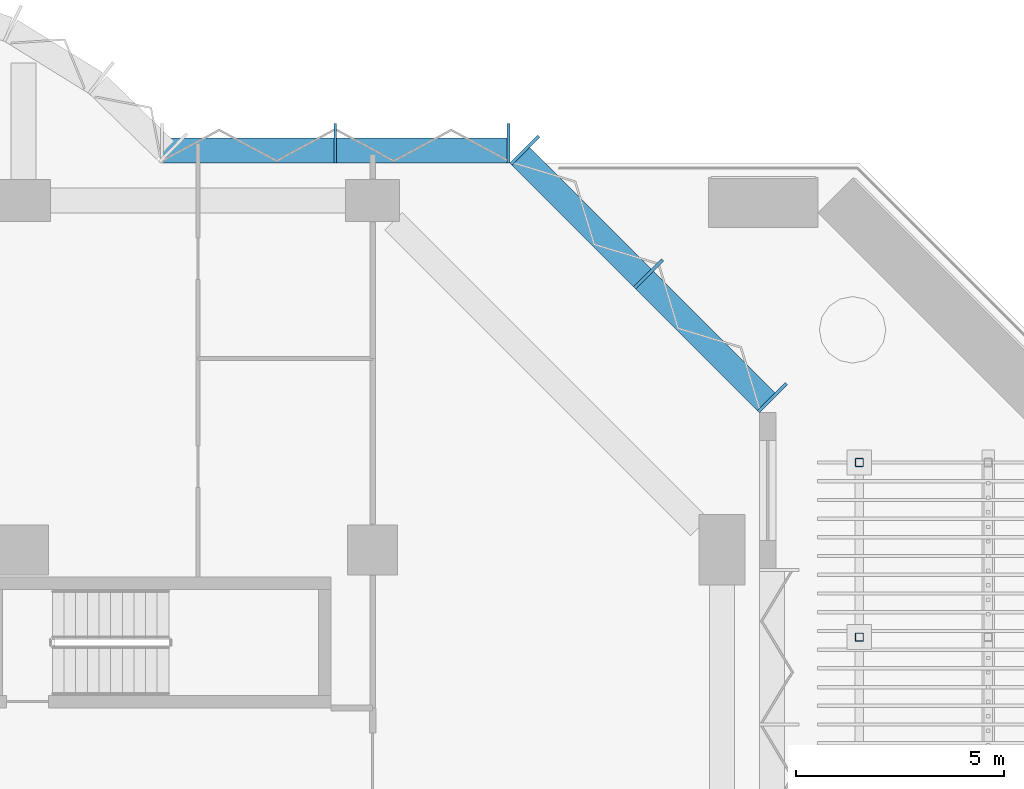
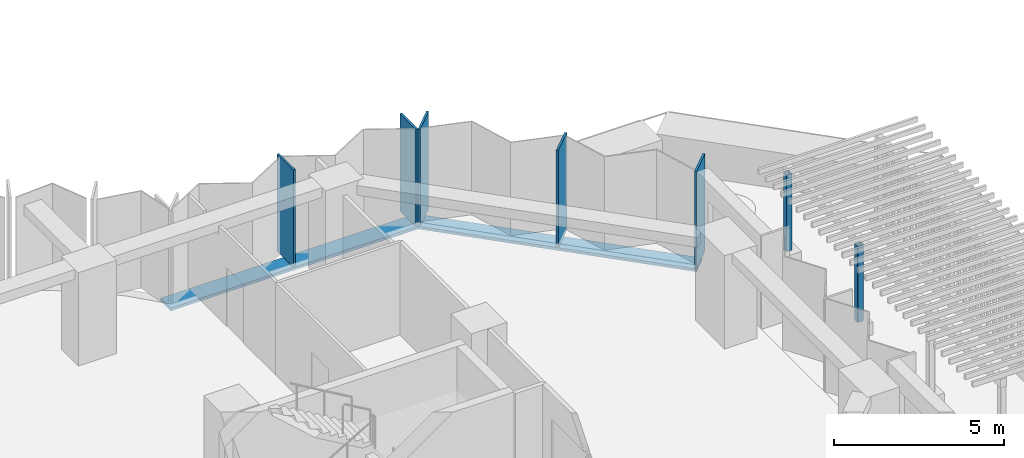
# One storey, part 4 of 18: 9 members, 2 elements without a shape of their own.
"""IFC4 building model written with IfcOpenShell, lengths in metres."""

from ifc_helpers import new_model, si_unit, direction, frame, origin, origin_2d, place, context, subcontext, project, spatial, rectangle, hollow_rectangle, extrude, material, material_profile, profile_set, type_object, element, aggregate, save


model = new_model("IFC4")

# Units and contexts
model_context = context("Model", 3, precision=1e-05, world=origin(), true_north=direction((0.0, 1.0)))
body_context = subcontext(model_context, "Body", "Model", "MODEL_VIEW")
ifc_project = project(units=[si_unit("LENGTHUNIT", "METRE"), si_unit("AREAUNIT", "SQUARE_METRE"), si_unit("VOLUMEUNIT", "CUBIC_METRE"), si_unit("PLANEANGLEUNIT", "RADIAN"), si_unit("MASSUNIT", "GRAM", prefix="KILO")], contexts=[model_context])

# Site, building, storey
site_placement = place(None, origin())
site = spatial("IfcSite", under=ifc_project, at=site_placement, CompositionType="ELEMENT")
building_placement = place(site_placement, origin())
building = spatial("IfcBuilding", under=site, at=building_placement, Name="Brevane Broadcast Tower", CompositionType="ELEMENT")
storey_placement = place(building_placement, frame((0.0, 0.0, 134.89990234375)))
storey = spatial("IfcBuildingStorey", under=building, at=storey_placement, Name="L33", CompositionType="ELEMENT", Elevation=134.89990234375)

# Curtain wall, members
ifc_material_1 = material(Name="Aluminium 6063-T6 bronze anodised", Category="aluminium")
curtain_wall_type = type_object("IfcCurtainWallType", Name="CW-1 curtain wall", PredefinedType="NOTDEFINED", material=ifc_material_1)
curtain_wall_1_placement = place(storey_placement, origin())
curtain_wall_1 = element("IfcCurtainWall", 1, at=curtain_wall_1_placement, inside=storey, type_object=curtain_wall_type, Name="CW-1 typical tilted unit L33 north-east chamfer", PredefinedType="NOTDEFINED")
ifc_material_profile_1 = material_profile(ifc_material_1, rectangle(XDim=0.949951171875, YDim=0.070068359375, at=origin_2d()), Name="RECT 70x950")
ifc_profile_set_1 = profile_set([ifc_material_profile_1], Name="Aluminium 6063-T6 bronze anodised")
member_type_1 = type_object("IfcMemberType", Name="CW-1 mullion 70x950", PredefinedType="MULLION", material=ifc_profile_set_1)
member_1_placement = place(storey_placement, frame((60.01123046875, 20.460693359375, -0.14990234375), z_axis=(0.0, 0.0, 1.0), x_axis=(-0.707106781187, -0.707106781187, 0.0)))
member_1 = element("IfcMember", 2, at=member_1_placement, type_object=member_type_1, Name="CW-1 mullion", PredefinedType="MULLION", context=body_context, shape_type="SweptSolid", body=[
    extrude(rectangle(XDim=0.949951171875, YDim=0.070068359375, at=origin_2d()), origin(), (0.0, 0.0, 1.0), 3.5),
])
member_2_placement = place(storey_placement, frame((57.035888671875, 23.435791015625, -0.14990234375), z_axis=(0.0, 0.0, 1.0), x_axis=(-0.707106781187, -0.707106781187, 0.0)))
member_2 = element("IfcMember", 3, at=member_2_placement, type_object=member_type_1, Name="CW-1 mullion", PredefinedType="MULLION", context=body_context, shape_type="SweptSolid", body=[
    extrude(rectangle(XDim=0.949951171875, YDim=0.070068359375, at=origin_2d()), origin(), (0.0, 0.0, 1.0), 3.5),
])
member_3_placement = place(storey_placement, frame((54.060546875, 26.4111328125, -0.14990234375), z_axis=(0.0, 0.0, 1.0), x_axis=(-0.707106781187, -0.707106781187, 0.0)))
member_3 = element("IfcMember", 4, at=member_3_placement, type_object=member_type_1, Name="CW-1 mullion", PredefinedType="MULLION", context=body_context, shape_type="SweptSolid", body=[
    extrude(rectangle(XDim=0.949951171875, YDim=0.070068359375, at=origin_2d()), origin(), (0.0, 0.0, 1.0), 3.5),
])

curtain_wall_2_placement = place(storey_placement, origin())
curtain_wall_2 = element("IfcCurtainWall", 5, at=curtain_wall_2_placement, inside=storey, type_object=curtain_wall_type, Name="CW-1 typical tilted unit L33 east arm north face", PredefinedType="NOTDEFINED")
member_4_placement = place(storey_placement, frame((53.6650390625, 26.574951171875, -0.14990234375), z_axis=(0.0, 0.0, 1.0), x_axis=(0.0, -1.0, 0.0)))
member_4 = element("IfcMember", 6, at=member_4_placement, type_object=member_type_1, Name="CW-1 mullion", PredefinedType="MULLION", context=body_context, shape_type="SweptSolid", body=[
    extrude(rectangle(XDim=0.949951171875, YDim=0.070068359375, at=origin_2d()), origin(), (0.0, 0.0, 1.0), 3.5),
])
member_5_placement = place(storey_placement, frame((49.5, 26.574951171875, -0.14990234375), z_axis=(0.0, 0.0, 1.0), x_axis=(0.0, -1.0, 0.0)))
member_5 = element("IfcMember", 7, at=member_5_placement, type_object=member_type_1, Name="CW-1 mullion", PredefinedType="MULLION", context=body_context, shape_type="SweptSolid", body=[
    extrude(rectangle(XDim=0.949951171875, YDim=0.070068359375, at=origin_2d()), origin(), (0.0, 0.0, 1.0), 3.5),
])

# Member
ifc_material_profile_2 = material_profile(ifc_material_1, rectangle(XDim=0.60009765625, YDim=0.10009765625, at=origin_2d()), Name="RECT 100x600")
ifc_profile_set_2 = profile_set([ifc_material_profile_2], Name="Aluminium 6063-T6 bronze anodised")
member_type_2 = type_object("IfcMemberType", Name="CW-1 transom 100x600", PredefinedType="USERDEFINED", material=ifc_profile_set_2)
member_6_placement = place(storey_placement, frame((59.912109375, 20.31201171875, -0.199951171875), z_axis=(-0.707106781187, 0.707106781187, 0.0), x_axis=(-0.707106781187, -0.707106781187, 0.0)))
member_6 = element("IfcMember", 8, at=member_6_placement, type_object=member_type_2, Name="CW-1 transom", ObjectType="TRANSOM", PredefinedType="USERDEFINED", context=body_context, shape_type="SweptSolid", body=[
    extrude(rectangle(XDim=0.60009765625, YDim=0.10009765625, at=origin_2d()), origin(), (0.0, 0.0, 1.0), 8.4853515625),
])

aggregate(curtain_wall_1, [member_1, member_2, member_3, member_6])

member_7_placement = place(storey_placement, frame((53.699951171875, 26.39990234375, -0.199951171875), z_axis=(-1.0, 0.0, 0.0), x_axis=(0.0, -1.0, 0.0)))
member_7 = element("IfcMember", 9, at=member_7_placement, type_object=member_type_2, Name="CW-1 transom", ObjectType="TRANSOM", PredefinedType="USERDEFINED", context=body_context, shape_type="SweptSolid", body=[
    extrude(rectangle(XDim=0.60009765625, YDim=0.10009765625, at=origin_2d()), origin(), (0.0, 0.0, 1.0), 8.39990234375),
])

aggregate(curtain_wall_2, [member_4, member_5, member_7])

# Members
ifc_material_2 = material(Name="Steel S355", Category="steel")
ifc_material_profile_3 = material_profile(ifc_material_2, hollow_rectangle(XDim=0.199951171875, YDim=0.199951171875, WallThickness=0.010009765625, InnerFilletRadius=0.010009765625, OuterFilletRadius=0.02001953125, at=origin_2d()), Name="RHS 200x200x10")
ifc_profile_set_3 = profile_set([ifc_material_profile_3], Name="Steel S355")
member_type_3 = type_object("IfcMemberType", Name="Sky garden pergola post RHS 200x200x10 S355", PredefinedType="POST", material=ifc_profile_set_3)
for number, where, z_axis, x_axis, name in (
    (10, (62.10009765625, 14.699951171875, 0.4501953125), (0.0, 0.0, 1.0), (1.0, 0.0, 0.0), "Sky garden trellis post L33-3"),
    (11, (62.10009765625, 18.89990234375, 0.4501953125), (0.0, 0.0, 1.0), (1.0, 0.0, 0.0), "Sky garden trellis post L33-4"),
):
    element("IfcMember", number, at=place(storey_placement, frame(where, z_axis=z_axis, x_axis=x_axis)), inside=storey, type_object=member_type_3, Name=name, PredefinedType="POST", context=body_context, shape_type="SweptSolid", body=[
        extrude(hollow_rectangle(XDim=0.199951171875, YDim=0.199951171875, WallThickness=0.010009765625, InnerFilletRadius=0.010009765625, OuterFilletRadius=0.02001953125, at=origin_2d()), origin(), (0.0, 0.0, 1.0), 2.75),
    ])

save(model, "model.ifc")
